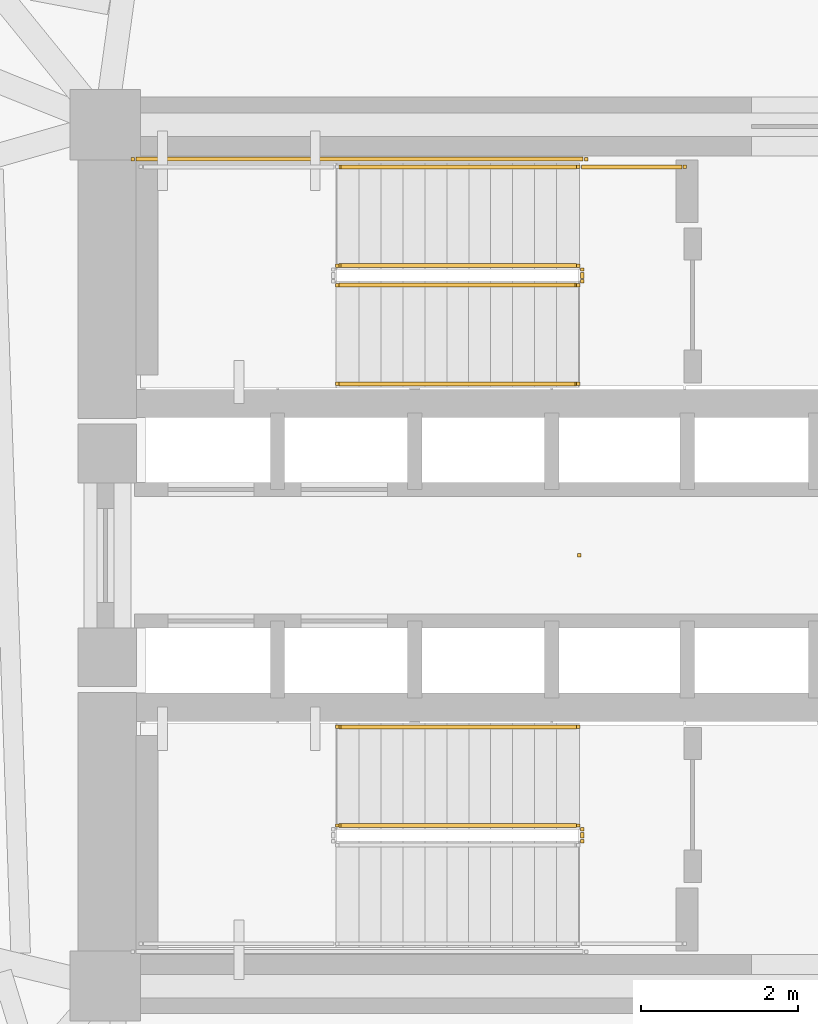
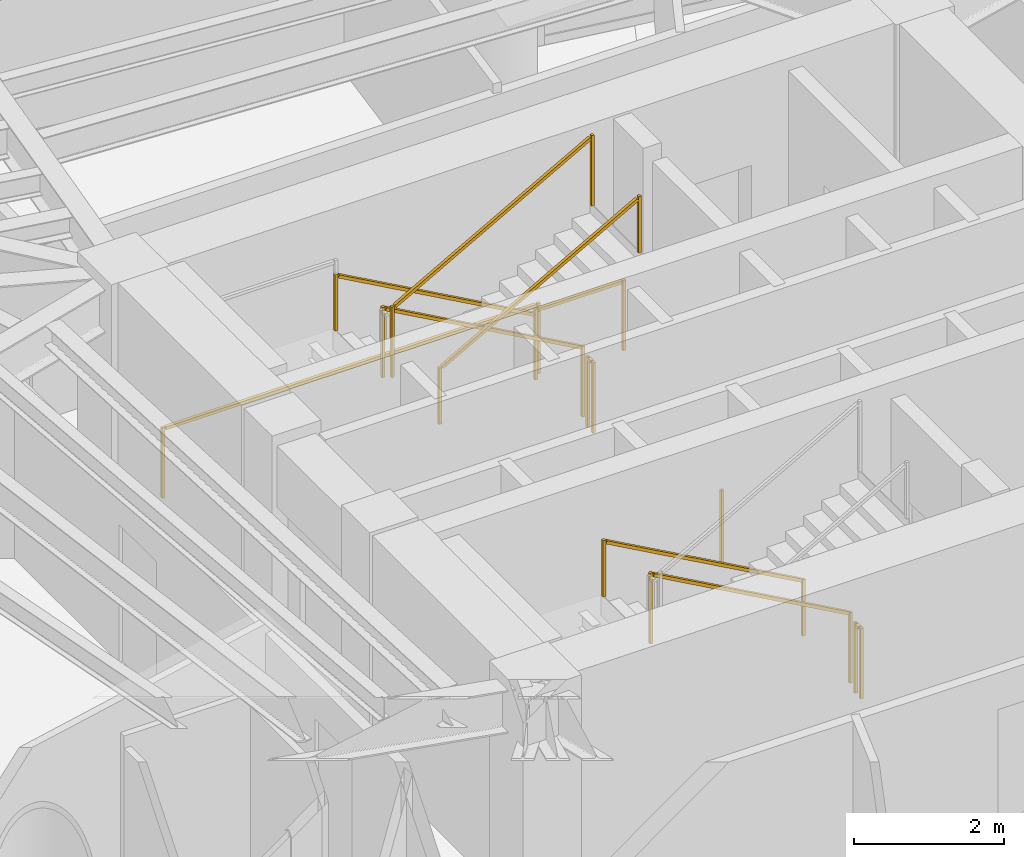
# One storey, part 9 of 10: 11 railings.
"""IFC4 building model written with IfcOpenShell, lengths in metres."""

import ifcopenshell
import ifcopenshell.guid

model = None  # the IFC model being written
_history = None  # IfcOwnerHistory: only IFC2X3 demands one
_inside = {}  # id of a spatial element -> (the spatial element, [elements in it])
_under = {}  # id of a project, library or spatial element -> (it, [spatial elements below it])
_declared = {}  # id of a project -> (the project, [libraries it declares])
_typed = {}  # id of a type object -> (the type object, [elements of that type])
_made_of = {}  # id of a material, layer set ... -> (it, [elements and type objects made of it])


def new_model(schema):
    """Start an empty IFC model of exactly this schema.

    Asked for "IFC4X3", IfcOpenShell would pick the latest addendum, in which some entities
    have other attributes; the version numbers below select the first issue.
    IFC2X3 requires an IfcOwnerHistory on every rooted entity: one is made here for all.
    """
    global model, _history
    if schema == "IFC4X3":
        model = ifcopenshell.file(schema_version=(4, 3, 0, 0))
    else:
        model = ifcopenshell.file(schema=schema)
    _inside.clear()
    _under.clear()
    _declared.clear()
    _typed.clear()
    _made_of.clear()
    _history = None
    if model.schema == "IFC2X3":
        org = make("IfcOrganization", Name="unknown")
        user = make(
            "IfcPersonAndOrganization",
            ThePerson=make("IfcPerson", FamilyName="unknown"),
            TheOrganization=org,
        )
        app = make(
            "IfcApplication",
            ApplicationDeveloper=org,
            Version="unknown",
            ApplicationFullName="unknown",
            ApplicationIdentifier="unknown",
        )
        _history = make(
            "IfcOwnerHistory",
            OwningUser=user,
            OwningApplication=app,
            ChangeAction="ADDED",
            CreationDate=0,
        )
    return model


def make(cls, **values):
    """One entity of the class cls with the attributes given. An attribute that is None is left unset."""
    return model.create_entity(
        cls, **{name: value for name, value in values.items() if value is not None}
    )


def rooted(cls, **values):
    """An entity with a GlobalId (a new one), such as an element, a storey or a relation."""
    return make(cls, GlobalId=ifcopenshell.guid.new(), OwnerHistory=_history, **values)


def si_unit(unit_type, name, prefix=None):
    """IfcSIUnit, for example si_unit("LENGTHUNIT", "METRE", prefix="MILLI")."""
    return make("IfcSIUnit", UnitType=unit_type, Prefix=prefix, Name=name)


def assignment(units):
    """IfcUnitAssignment: the units of a project."""
    return None if units is None else make("IfcUnitAssignment", Units=units)


def point(xyz):
    """IfcCartesianPoint."""
    return None if xyz is None else make("IfcCartesianPoint", Coordinates=xyz)


def direction(xyz):
    """IfcDirection."""
    return None if xyz is None else make("IfcDirection", DirectionRatios=xyz)


def frame(location, z_axis=None, x_axis=None):
    """IfcAxis2Placement3D, a coordinate frame: its origin and axes. An axis left out is left unset."""
    return make(
        "IfcAxis2Placement3D",
        Location=point(location),
        Axis=direction(z_axis),
        RefDirection=direction(x_axis),
    )


def frame_2d(location, x_axis=None):
    """IfcAxis2Placement2D, a coordinate frame in the plane: its origin and x axis."""
    return make(
        "IfcAxis2Placement2D", Location=point(location), RefDirection=direction(x_axis)
    )


def origin():
    """The frame at (0, 0, 0) with its axes left unset."""
    return frame((0.0, 0.0, 0.0))


def origin_2d():
    """The frame at (0, 0) in the plane with its x axis left unset."""
    return frame_2d((0.0, 0.0))


def place(relative_to, where):
    """IfcLocalPlacement: puts the frame where relative to a parent placement (None: the world)."""
    return make(
        "IfcLocalPlacement", PlacementRelTo=relative_to, RelativePlacement=where
    )


def context(
    kind, dimensions, precision=None, world=None, true_north=None, identifier=None
):
    """IfcGeometricRepresentationContext, for example the 3D "Model" context."""
    return make(
        "IfcGeometricRepresentationContext",
        ContextIdentifier=identifier,
        ContextType=kind,
        CoordinateSpaceDimension=dimensions,
        Precision=precision,
        WorldCoordinateSystem=world,
        TrueNorth=true_north,
    )


def subcontext(parent, identifier, kind, view, scale=None):
    """IfcGeometricRepresentationSubContext, for example "Body" below "Model"."""
    return make(
        "IfcGeometricRepresentationSubContext",
        ContextIdentifier=identifier,
        ContextType=kind,
        ParentContext=parent,
        TargetScale=scale,
        TargetView=view,
    )


def project(units=None, contexts=None):
    """IfcProject with its units and contexts."""
    return rooted(
        "IfcProject",
        Name="project",
        RepresentationContexts=contexts,
        UnitsInContext=assignment(units),
    )


def spatial(cls, under=None, at=None, **own):
    """A site, building, storey or space (cls), placed at a placement, below another one or the project."""
    s = rooted(cls, ObjectPlacement=at, **own)
    if under is not None:
        _under.setdefault(under.id(), (under, []))[1].append(s)
    return s


def profile(cls, at=None, kind="AREA", **sizes):
    """A parametric profile (cls). Its sizes go by their IFC names, for example OverallWidth=200.0."""
    return make(cls, ProfileType=kind, Position=at, **sizes)


def rectangle(**sizes):
    """IfcRectangleProfileDef."""
    return profile("IfcRectangleProfileDef", **sizes)


def extrude(swept, where, along, depth):
    """IfcExtrudedAreaSolid: the profile swept, set in the frame where, extruded along a direction by depth."""
    return make(
        "IfcExtrudedAreaSolid",
        SweptArea=swept,
        Position=where,
        ExtrudedDirection=direction(along),
        Depth=depth,
    )


def shape(context_of_items, identifier, shape_type, items):
    """IfcShapeRepresentation: the items that make up one representation, for example the "Body"."""
    return make(
        "IfcShapeRepresentation",
        ContextOfItems=context_of_items,
        RepresentationIdentifier=identifier,
        RepresentationType=shape_type,
        Items=items,
    )


def material(Name=None, Category=None):
    """IfcMaterial."""
    return make("IfcMaterial", Name=Name, Category=Category)


def made_of(thing, what):
    """Note that an element or type object is made of a material, layer set ...; save() writes the relation."""
    if what is not None:
        _made_of.setdefault(what.id(), (what, []))[1].append(thing)
    return thing


def type_object(cls, material=None, **own):
    """A type object (cls), such as IfcWallType, which elements share."""
    return made_of(rooted(cls, **own), material)


def element(
    cls,
    number,
    at=None,
    inside=None,
    cuts=None,
    type_object=None,
    material=None,
    context=None,
    identifier="Body",
    shape_type=None,
    held_by="IfcProductDefinitionShape",
    body=None,
    shapes=None,
    **own,
):
    """One element of the class cls, such as IfcWall. Its Tag is "e" and its number.

    at: its placement. inside: the storey or other place that contains it. cuts: it is an
    opening in that element (IfcRelVoidsElement). A single representation is given by context,
    identifier, shape_type and body (its items); several are given by shapes. held_by: the class
    of the entity that holds the representations. save() writes the other relations.
    """
    e = rooted(cls, Tag="e%d" % number, ObjectPlacement=at, **own)
    if body is not None:
        shapes = [shape(context, identifier, shape_type, body)]
    if shapes is not None:
        e.Representation = make(held_by, Representations=shapes)
    if inside is not None:
        _inside.setdefault(inside.id(), (inside, []))[1].append(e)
    if cuts is not None:
        rooted(
            "IfcRelVoidsElement", RelatingBuildingElement=cuts, RelatedOpeningElement=e
        )
    if type_object is not None:
        _typed.setdefault(type_object.id(), (type_object, []))[1].append(e)
    return made_of(e, material)


def aggregate(whole, parts):
    """IfcRelAggregates: a whole, such as a stair, and the parts it consists of."""
    return rooted("IfcRelAggregates", RelatingObject=whole, RelatedObjects=parts)


def save(model, path):
    """Write the relations noted so far, then the file.

    IfcRelAggregates (storeys below a building ...), IfcRelContainedInSpatialStructure (elements
    in a storey), IfcRelDefinesByType, IfcRelAssociatesMaterial and IfcRelDeclares: one each for
    every whole, place, type object, material and project.
    """
    for whole, parts in _under.values():
        aggregate(whole, parts)
    for where, things in _inside.values():
        rooted(
            "IfcRelContainedInSpatialStructure",
            RelatedElements=things,
            RelatingStructure=where,
        )
    for kind, things in _typed.values():
        rooted("IfcRelDefinesByType", RelatedObjects=things, RelatingType=kind)
    for what, things in _made_of.values():
        rooted("IfcRelAssociatesMaterial", RelatedObjects=things, RelatingMaterial=what)
    for by, libraries in _declared.values():
        rooted("IfcRelDeclares", RelatingContext=by, RelatedDefinitions=libraries)
    model.write(path)


model = new_model("IFC4")

# Units and contexts
model_context = context("Model", 3, precision=1e-05, world=origin(), true_north=direction((0.0, 1.0)))
body_context = subcontext(model_context, "Body", "Model", "MODEL_VIEW")
ifc_project = project(units=[si_unit("LENGTHUNIT", "METRE"), si_unit("AREAUNIT", "SQUARE_METRE"), si_unit("VOLUMEUNIT", "CUBIC_METRE"), si_unit("PLANEANGLEUNIT", "RADIAN"), si_unit("MASSUNIT", "GRAM", prefix="KILO")], contexts=[model_context])

# Site, building, storey
site_placement = place(None, origin())
site = spatial("IfcSite", under=ifc_project, at=site_placement, CompositionType="ELEMENT")
building_placement = place(site_placement, origin())
building = spatial("IfcBuilding", under=site, at=building_placement, Name="Yunling Apex Tower", CompositionType="ELEMENT")
storey_placement = place(building_placement, frame((0.0, 0.0, 89.89990234375)))
storey = spatial("IfcBuildingStorey", under=building, at=storey_placement, Name="L22", CompositionType="ELEMENT", Elevation=89.89990234375)

# Railings
ifc_material_1 = material(Name="Bronze anodised aluminium", Category="aluminium")
railing_type_1 = type_object("IfcRailingType", Name="RL-BAL-1200", PredefinedType="BALUSTRADE", material=ifc_material_1)
railing_1_placement = place(storey_placement, origin())
element("IfcRailing", 1, at=railing_1_placement, inside=storey, type_object=railing_type_1, Name="RL-TATR-L22", PredefinedType="BALUSTRADE", context=body_context, shape_type="SweptSolid", body=[
    extrude(rectangle(XDim=0.0439453125, YDim=0.0439453125, at=origin_2d()), origin(), (0.0, 0.0, 1.0), 1.199951171875),
])
ifc_material_2 = material(Name="Steel Q355B", Category="steel")
railing_type_2 = type_object("IfcRailingType", Name="RL-GRD-1150", PredefinedType="GUARDRAIL", material=ifc_material_2)
railing_2_placement = place(storey_placement, frame((-0.010009765625, 3.699951171875, 0.15625)))
element("IfcRailing", 2, at=railing_2_placement, inside=storey, type_object=railing_type_2, Name="L22 ST-1 stair guard 1", PredefinedType="GUARDRAIL", context=body_context, shape_type="SweptSolid", body=[
    extrude(rectangle(XDim=0.0439453125, YDim=0.0439453125, at=origin_2d()), origin(), (0.0, 0.0, 1.0), 1.14990234375),
    extrude(rectangle(XDim=0.0439453125, YDim=0.0439453125, at=origin_2d()), frame((-3.080078125, 0.0, 1.71875)), (0.0, 0.0, 1.0), 1.14990234375),
    extrude(rectangle(XDim=0.050048828125, YDim=0.050048828125, at=origin_2d()), frame((-0.033447265625, 0.0, 1.1435546875), z_axis=(-0.873241540666, 0.0, 0.487287606713), x_axis=(0.0, -1.0, 0.0)), (0.0, 0.0, 1.0), 3.450439453125),
])
railing_3_placement = place(storey_placement, frame((-3.090087890625, 3.449951171875, 2.03125)))
element("IfcRailing", 3, at=railing_3_placement, inside=storey, type_object=railing_type_2, Name="L22 ST-1 stair guard 4", PredefinedType="GUARDRAIL", context=body_context, shape_type="SweptSolid", body=[
    extrude(rectangle(XDim=0.0439453125, YDim=0.0439453125, at=origin_2d()), origin(), (0.0, 0.0, 1.0), 1.14990234375),
    extrude(rectangle(XDim=0.0439453125, YDim=0.0439453125, at=origin_2d()), frame((3.080078125, 0.0, 1.71875)), (0.0, 0.0, 1.0), 1.14990234375),
    extrude(rectangle(XDim=0.050048828125, YDim=0.050048828125, at=origin_2d()), frame((0.033447265625, 0.0, 1.1435546875), z_axis=(0.873241540666, 0.0, 0.487287606713), x_axis=(0.0, 1.0, 0.0)), (0.0, 0.0, 1.0), 3.450439453125),
])
railing_4_placement = place(storey_placement, frame((0.0400390625, 3.64990234375, 0.0)))
element("IfcRailing", 4, at=railing_4_placement, inside=storey, type_object=railing_type_2, Name="L22 ST-1 stair guard 5", PredefinedType="GUARDRAIL", context=body_context, shape_type="SweptSolid", body=[
    extrude(rectangle(XDim=0.0439453125, YDim=0.0439453125, at=origin_2d()), origin(), (0.0, 0.0, 1.0), 1.14990234375),
    extrude(rectangle(XDim=0.0439453125, YDim=0.0439453125, at=origin_2d()), frame((0.0, -0.14990234375, 0.0)), (0.0, 0.0, 1.0), 1.14990234375),
    extrude(rectangle(XDim=0.050048828125, YDim=0.050048828125, at=origin_2d()), frame((0.0, -0.038330078125, 1.125), z_axis=(0.0, -1.0, 0.0), x_axis=(1.0, 0.0, 0.0)), (0.0, 0.0, 1.0), 0.0732421875),
])
railing_5_placement = place(storey_placement, frame((1.35009765625, 4.9599609375, 0.0)))
element("IfcRailing", 5, at=railing_5_placement, inside=storey, type_object=railing_type_2, Name="L22 ST-1 stair guard 6", PredefinedType="GUARDRAIL", context=body_context, shape_type="SweptSolid", body=[
    extrude(rectangle(XDim=0.0439453125, YDim=0.0439453125, at=origin_2d()), origin(), (0.0, 0.0, 1.0), 1.14990234375),
    extrude(rectangle(XDim=0.0439453125, YDim=0.0439453125, at=origin_2d()), frame((-1.360107421875, 0.0, 0.0)), (0.0, 0.0, 1.0), 1.14990234375),
    extrude(rectangle(XDim=0.050048828125, YDim=0.050048828125, at=origin_2d()), frame((-0.038330078125, 0.0, 1.125), z_axis=(-1.0, 0.0, 0.0), x_axis=(0.0, -1.0, 0.0)), (0.0, 0.0, 1.0), 1.283447265625),
])
railing_6_placement = place(storey_placement, frame((0.090087890625, 5.06005859375, 0.0)))
element("IfcRailing", 6, at=railing_6_placement, inside=storey, type_object=railing_type_2, Name="L22 ST-1 stair guard 7", PredefinedType="GUARDRAIL", context=body_context, shape_type="SweptSolid", body=[
    extrude(rectangle(XDim=0.0439453125, YDim=0.0439453125, at=origin_2d()), origin(), (0.0, 0.0, 1.0), 1.14990234375),
    extrude(rectangle(XDim=0.0439453125, YDim=0.0439453125, at=origin_2d()), frame((-5.7900390625, 0.0, 0.0)), (0.0, 0.0, 1.0), 1.14990234375),
    extrude(rectangle(XDim=0.050048828125, YDim=0.050048828125, at=origin_2d()), frame((-0.038330078125, 0.0, 1.125), z_axis=(-1.0, 0.0, 0.0), x_axis=(0.0, -1.0, 0.0)), (0.0, 0.0, 1.0), 5.71337890625),
])
railing_7_placement = place(storey_placement, frame((-0.010009765625, -3.449951171875, 0.15625)))
element("IfcRailing", 7, at=railing_7_placement, inside=storey, type_object=railing_type_2, Name="L22 ST-2 stair guard 1", PredefinedType="GUARDRAIL", context=body_context, shape_type="SweptSolid", body=[
    extrude(rectangle(XDim=0.0439453125, YDim=0.0439453125, at=origin_2d()), origin(), (0.0, 0.0, 1.0), 1.14990234375),
    extrude(rectangle(XDim=0.0439453125, YDim=0.0439453125, at=origin_2d()), frame((-3.080078125, 0.0, 1.71875)), (0.0, 0.0, 1.0), 1.14990234375),
    extrude(rectangle(XDim=0.050048828125, YDim=0.050048828125, at=origin_2d()), frame((-0.033447265625, 0.0, 1.1435546875), z_axis=(-0.873241540666, 0.0, 0.487287606713), x_axis=(0.0, -1.0, 0.0)), (0.0, 0.0, 1.0), 3.450439453125),
])
railing_8_placement = place(storey_placement, frame((0.0400390625, -3.5, 0.0)))
element("IfcRailing", 8, at=railing_8_placement, inside=storey, type_object=railing_type_2, Name="L22 ST-2 stair guard 5", PredefinedType="GUARDRAIL", context=body_context, shape_type="SweptSolid", body=[
    extrude(rectangle(XDim=0.0439453125, YDim=0.0439453125, at=origin_2d()), origin(), (0.0, 0.0, 1.0), 1.14990234375),
    extrude(rectangle(XDim=0.0439453125, YDim=0.0439453125, at=origin_2d()), frame((0.0, -0.14990234375, 0.0)), (0.0, 0.0, 1.0), 1.14990234375),
    extrude(rectangle(XDim=0.050048828125, YDim=0.050048828125, at=origin_2d()), frame((0.0, -0.038330078125, 1.125), z_axis=(0.0, -1.0, 0.0), x_axis=(1.0, 0.0, 0.0)), (0.0, 0.0, 1.0), 0.0732421875),
])
ifc_material_3 = material(Name="Silver anodised aluminium", Category="aluminium")
railing_type_3 = type_object("IfcRailingType", Name="RL-HND-900", PredefinedType="HANDRAIL", material=ifc_material_3)
railing_9_placement = place(storey_placement, frame((-0.010009765625, 4.9599609375, 0.15625)))
element("IfcRailing", 9, at=railing_9_placement, inside=storey, type_object=railing_type_3, Name="L22 ST-1 stair handrail 1", PredefinedType="HANDRAIL", context=body_context, shape_type="SweptSolid", body=[
    extrude(rectangle(XDim=0.0439453125, YDim=0.0439453125, at=origin_2d()), origin(), (0.0, 0.0, 1.0), 0.919921875),
    extrude(rectangle(XDim=0.0439453125, YDim=0.0439453125, at=origin_2d()), frame((-3.080078125, 0.0, 1.71875)), (0.0, 0.0, 1.0), 0.919921875),
    extrude(rectangle(XDim=0.050048828125, YDim=0.050048828125, at=origin_2d()), frame((-0.033447265625, 0.0, 0.91357421875), z_axis=(-0.873241540666, 0.0, 0.487287606713), x_axis=(0.0, -1.0, 0.0)), (0.0, 0.0, 1.0), 3.450439453125),
])
railing_10_placement = place(storey_placement, frame((-3.090087890625, 2.18994140625, 2.03125)))
element("IfcRailing", 10, at=railing_10_placement, inside=storey, type_object=railing_type_3, Name="L22 ST-1 stair handrail 2", PredefinedType="HANDRAIL", context=body_context, shape_type="SweptSolid", body=[
    extrude(rectangle(XDim=0.0439453125, YDim=0.0439453125, at=origin_2d()), origin(), (0.0, 0.0, 1.0), 0.919921875),
    extrude(rectangle(XDim=0.0439453125, YDim=0.0439453125, at=origin_2d()), frame((3.080078125, 0.0, 1.71875)), (0.0, 0.0, 1.0), 0.919921875),
    extrude(rectangle(XDim=0.050048828125, YDim=0.050048828125, at=origin_2d()), frame((0.033447265625, 0.0, 0.91357421875), z_axis=(0.873241540666, 0.0, 0.487287606713), x_axis=(0.0, 1.0, 0.0)), (0.0, 0.0, 1.0), 3.450439453125),
])
railing_11_placement = place(storey_placement, frame((-0.010009765625, -2.18994140625, 0.15625)))
element("IfcRailing", 11, at=railing_11_placement, inside=storey, type_object=railing_type_3, Name="L22 ST-2 stair handrail 1", PredefinedType="HANDRAIL", context=body_context, shape_type="SweptSolid", body=[
    extrude(rectangle(XDim=0.0439453125, YDim=0.0439453125, at=origin_2d()), origin(), (0.0, 0.0, 1.0), 0.919921875),
    extrude(rectangle(XDim=0.0439453125, YDim=0.0439453125, at=origin_2d()), frame((-3.080078125, 0.0, 1.71875)), (0.0, 0.0, 1.0), 0.919921875),
    extrude(rectangle(XDim=0.050048828125, YDim=0.050048828125, at=origin_2d()), frame((-0.033447265625, 0.0, 0.91357421875), z_axis=(-0.873241540666, 0.0, 0.487287606713), x_axis=(0.0, -1.0, 0.0)), (0.0, 0.0, 1.0), 3.450439453125),
])

save(model, "model.ifc")
